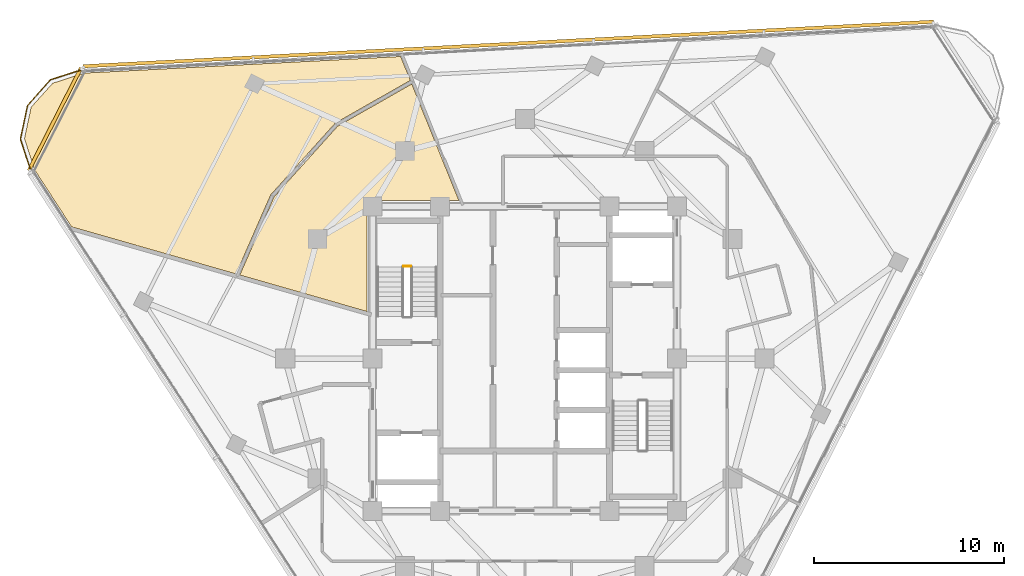
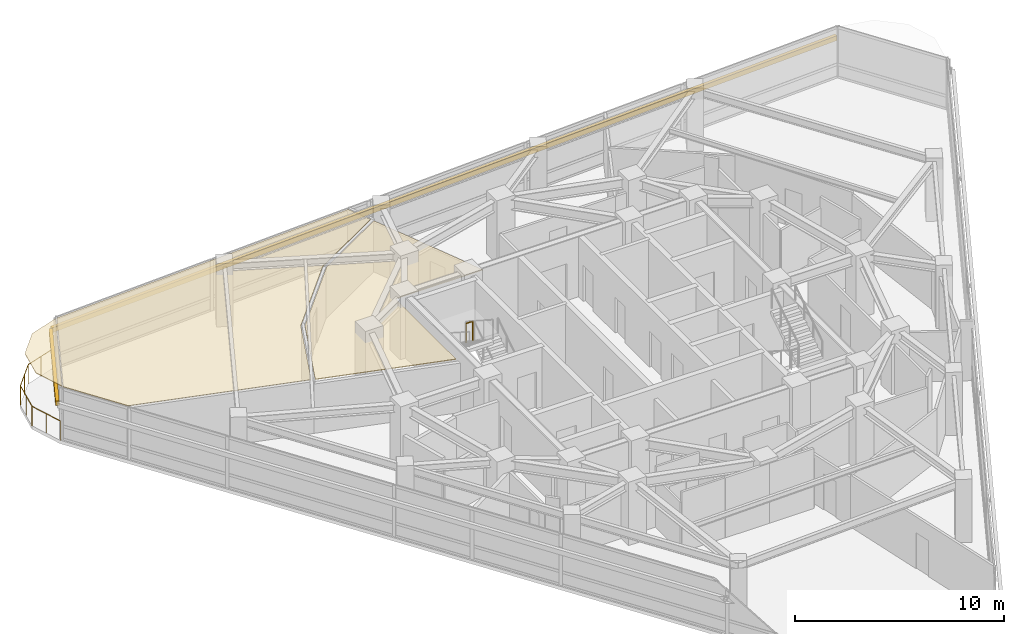
# One storey, part 14 of 15: 2 coverings, 2 railings, 2 shading devices.
"""IFC4 building model written with IfcOpenShell, lengths in metres."""

from ifc_helpers import new_model, si_unit, direction, frame, origin, origin_2d, place, context, subcontext, project, spatial, polyline, rectangle, circle, outline, extrude, material, layer, layer_set, type_object, element, save


model = new_model("IFC4")

# Units and contexts
model_context = context("Model", 3, precision=1e-05, world=origin(), true_north=direction((0.0, 1.0)))
body_context = subcontext(model_context, "Body", "Model", "MODEL_VIEW")
ifc_project = project(units=[si_unit("LENGTHUNIT", "METRE"), si_unit("AREAUNIT", "SQUARE_METRE"), si_unit("VOLUMEUNIT", "CUBIC_METRE"), si_unit("PLANEANGLEUNIT", "RADIAN"), si_unit("MASSUNIT", "GRAM", prefix="KILO")], contexts=[model_context])

# Site, building, storey
site_placement = place(None, origin())
site = spatial("IfcSite", under=ifc_project, at=site_placement, CompositionType="ELEMENT")
building_placement = place(site_placement, origin())
building = spatial("IfcBuilding", under=site, at=building_placement, Name="Terralouvre Media Tower", CompositionType="ELEMENT")
storey_placement = place(building_placement, frame((0.0, 0.0, 263.300048828125)))
storey = spatial("IfcBuildingStorey", under=building, at=storey_placement, Name="L68", CompositionType="ELEMENT", Elevation=263.300048828125)

# Coverings
ifc_material_1 = material(Name="Perforated aluminium acoustic ceiling baffle", Category="aluminium")
ifc_layer_1 = layer(ifc_material_1, 0.0400390625, Name="Perforated Acoustic Metal Tile Ceiling CL-AC1")
ifc_layer_set_1 = layer_set([ifc_layer_1], Name="Perforated aluminium acoustic ceiling baffle")
covering_type = type_object("IfcCoveringType", Name="Perforated Acoustic Metal Tile Ceiling CL-AC1", PredefinedType="CEILING", material=ifc_layer_set_1)
covering_1_placement = place(storey_placement, frame((0.0, 0.0, 2.97998046875), z_axis=(0.0, 0.0, 1.0), x_axis=(0.45399049974, 0.891006524188, 0.0)))
element("IfcCovering", 1, at=covering_1_placement, inside=storey, type_object=covering_type, Name="L68 Foreign Copy Desk Office 8 Acoustic Ceiling", PredefinedType="CEILING", context=body_context, shape_type="SweptSolid", body=[
    extrude(outline(polyline([(6.427001953125, 14.323486328125), (1.595703125, 15.61767578125), (-2.88330078125, 15.356201171875), (-1.556884765625, 8.533203125), (3.54248046875, 11.131591796875), (3.551513671875, 11.135498046875), (3.560791015625, 11.138671875), (3.5703125, 11.140869140625), (3.580078125, 11.14208984375), (3.58984375, 11.142333984375), (3.599609375, 11.1416015625), (3.609375, 11.14013671875), (3.618896484375, 11.137451171875), (3.6279296875, 11.134033203125), (3.63671875, 11.129638671875), (3.64501953125, 11.12451171875), (3.65283203125, 11.118408203125), (3.659912109375, 11.11181640625), (3.66650390625, 11.104248046875), (3.672119140625, 11.096435546875), (3.677001953125, 11.087890625), (5.8310546875, 6.8603515625), (10.17529296875, 11.857666015625), (6.427001953125, 14.323486328125)])), origin(), (0.0, 0.0, 1.0), 0.0400390625),
])
covering_2_placement = place(storey_placement, frame((0.0, 0.0, 2.97998046875), z_axis=(0.0, 0.0, 1.0), x_axis=(0.45399049974, 0.891006524188, 0.0)))
element("IfcCovering", 2, at=covering_2_placement, inside=storey, type_object=covering_type, Name="L68 Morning Rundown Briefing Room 9 Acoustic Ceiling", PredefinedType="CEILING", context=body_context, shape_type="SweptSolid", body=[
    extrude(outline(polyline([(-2.921875, 15.554443359375), (1.60009765625, 15.818115234375), (1.61083984375, 15.818359375), (1.62158203125, 15.817138671875), (1.6318359375, 15.81494140625), (6.494140625, 14.512451171875), (6.50439453125, 14.509033203125), (6.51416015625, 14.504638671875), (6.5234375, 14.499267578125), (10.3076171875, 12.010009765625), (11.196044921875, 13.032470703125), (2.855224609375, 27.47998046875), (1.63623046875, 28.699462890625), (-0.000244140625, 29.137451171875), (-1.635986328125, 28.698974609375), (-2.85546875, 27.479736328125), (-4.638671875, 24.389892578125), (-2.921875, 15.554443359375)])), origin(), (0.0, 0.0, 1.0), 0.0400390625),
])

# Railings
ifc_material_2 = material(Name="Stainless steel 316 handrail and balustrade", Category="steel")
ifc_layer_2 = layer(ifc_material_2, 0.06005859375, Name="Roof Edge Safety Guardrail GR-ROOF1")
ifc_layer_set_2 = layer_set([ifc_layer_2], Name="Stainless steel 316 handrail and balustrade")
railing_type_1 = type_object("IfcRailingType", Name="Roof Edge Safety Guardrail GR-ROOF1", PredefinedType="GUARDRAIL", material=ifc_layer_set_2)
railing_1_placement = place(storey_placement, frame((-23.216796875, 15.2294921875, 0.0)))
element("IfcRailing", 3, at=railing_1_placement, inside=storey, type_object=railing_type_1, Name="L68 Wind-Corner Perimeter Safety Guardrail C2", PredefinedType="GUARDRAIL", context=body_context, shape_type="SweptSolid", body=[
    extrude(circle(Radius=0.02099609375, at=origin_2d()), frame((0.0, 0.0, 1.12890625), z_axis=(-0.951160789169, -0.308695891043, 0.0), x_axis=(0.308695891043, -0.951160789169, 0.0)), (0.0, 0.0, 1.0), 1.81103515625),
    extrude(circle(Radius=0.02099609375, at=origin_2d()), frame((-1.72265625, -0.55908203125, 1.12890625), z_axis=(-0.66920303756, -0.743079601739, 0.0), x_axis=(0.743079601739, -0.66920303756, 0.0)), (0.0, 0.0, 1.0), 1.81103515625),
    extrude(circle(Radius=0.02099609375, at=origin_2d()), frame((-2.9345703125, -1.90478515625, 1.12890625), z_axis=(-0.207770065545, -0.978177693399, 0.0), x_axis=(0.978177693399, -0.207770065545, 0.0)), (0.0, 0.0, 1.0), 1.810791015625),
    extrude(circle(Radius=0.02099609375, at=origin_2d()), frame((-3.310791015625, -3.676025390625, 1.12890625), z_axis=(0.309223227826, -0.950989482262, 0.0), x_axis=(0.950989482262, 0.309223227826, 0.0)), (0.0, 0.0, 1.0), 1.811279296875),
    extrude(circle(Radius=0.01904296875, at=origin_2d()), origin(), (0.0, 0.0, 1.0), 1.10791015625),
    extrude(circle(Radius=0.01904296875, at=origin_2d()), frame((-0.861328125, -0.279541015625, 0.0)), (0.0, 0.0, 1.0), 1.10791015625),
    extrude(circle(Radius=0.01904296875, at=origin_2d()), frame((-1.72265625, -0.55908203125, 0.0)), (0.0, 0.0, 1.0), 1.10791015625),
    extrude(circle(Radius=0.01904296875, at=origin_2d()), frame((-2.32861328125, -1.23193359375, 0.0)), (0.0, 0.0, 1.0), 1.10791015625),
    extrude(circle(Radius=0.01904296875, at=origin_2d()), frame((-2.9345703125, -1.90478515625, 0.0)), (0.0, 0.0, 1.0), 1.10791015625),
    extrude(circle(Radius=0.01904296875, at=origin_2d()), frame((-3.12255859375, -2.79052734375, 0.0)), (0.0, 0.0, 1.0), 1.10791015625),
    extrude(circle(Radius=0.01904296875, at=origin_2d()), frame((-3.310791015625, -3.676025390625, 0.0)), (0.0, 0.0, 1.0), 1.10791015625),
    extrude(circle(Radius=0.01904296875, at=origin_2d()), frame((-3.03076171875, -4.537109375, 0.0)), (0.0, 0.0, 1.0), 1.10791015625),
    extrude(circle(Radius=0.01904296875, at=origin_2d()), frame((-2.750732421875, -5.3984375, 0.0)), (0.0, 0.0, 1.0), 1.10791015625),
])
ifc_material_3 = material(Name="Stainless steel 316 handrail and balustrade", Category="steel")
ifc_layer_3 = layer(ifc_material_3, 0.050048828125, Name="Stairwell Safety Guardrail GR-INT1")
ifc_layer_set_3 = layer_set([ifc_layer_3], Name="Stainless steel 316 handrail and balustrade")
railing_type_2 = type_object("IfcRailingType", Name="Stairwell Safety Guardrail GR-INT1", PredefinedType="GUARDRAIL", material=ifc_layer_set_3)
railing_2_placement = place(storey_placement, frame((-6.0, 4.8701171875, 1.849853515625)))
element("IfcRailing", 4, at=railing_2_placement, inside=storey, type_object=railing_type_2, Name="L68 ST-01 stair guard 2", PredefinedType="GUARDRAIL", context=body_context, shape_type="SweptSolid", body=[
    extrude(circle(Radius=0.02392578125, at=origin_2d()), frame((0.0, 0.0, 1.1259765625), z_axis=(-1.0, 0.0, 0.0), x_axis=(0.0, -1.0, 0.0)), (0.0, 0.0, 1.0), 0.3798828125),
    extrude(circle(Radius=0.02099609375, at=origin_2d()), origin(), (0.0, 0.0, 1.0), 1.101806640625),
    extrude(circle(Radius=0.02099609375, at=origin_2d()), frame((-0.3798828125, 0.0, 0.0)), (0.0, 0.0, 1.0), 1.101806640625),
])

# Shading devices
ifc_material_4 = material(Name="Extruded terracotta baguette sunshade louvres", Category="masonry")
shading_device_type = type_object("IfcShadingDeviceType", Name="Terracotta Baguette Sunshade Louvre Screen TB-LV1", PredefinedType="USERDEFINED", material=ifc_material_4)
shading_device_1_placement = place(storey_placement, frame((-0.867431640625, 16.550048828125, 2.02392578125), z_axis=(0.0, 0.0, 1.0), x_axis=(-0.998629523875, -0.052336163844, 0.0)))
element("IfcShadingDevice", 5, at=shading_device_1_placement, inside=storey, type_object=shading_device_type, Name="CW-L68-F1 Terracotta Baguette Sunshade Louvre", ObjectType="BAGUETTE", PredefinedType="USERDEFINED", context=body_context, shape_type="SweptSolid", body=[
    extrude(rectangle(XDim=44.800048828125, YDim=0.179931640625, at=origin_2d()), origin(), (0.0, 0.0, 1.0), 0.280029296875),
])
shading_device_2_placement = place(storey_placement, frame((-24.71240234375, 12.591552734375, 2.02392578125), z_axis=(0.0, 0.0, 1.0), x_axis=(-0.453990349937, -0.891006600517, 0.0)))
element("IfcShadingDevice", 6, at=shading_device_2_placement, inside=storey, type_object=shading_device_type, Name="CW-L68-C2 Terracotta Baguette Sunshade Louvre", ObjectType="BAGUETTE", PredefinedType="USERDEFINED", context=body_context, shape_type="SweptSolid", body=[
    extrude(rectangle(XDim=6.062255859375, YDim=0.179931640625, at=origin_2d()), origin(), (0.0, 0.0, 1.0), 0.280029296875),
])

save(model, "model.ifc")
